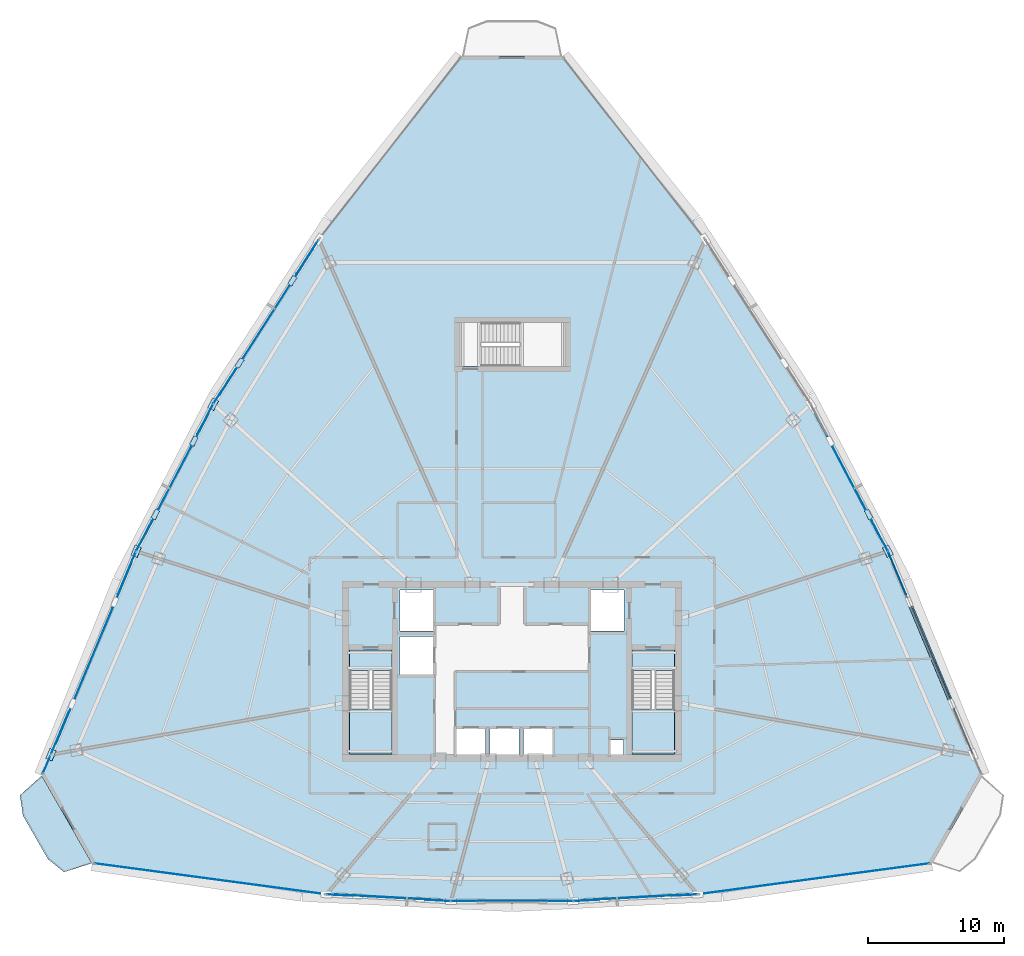
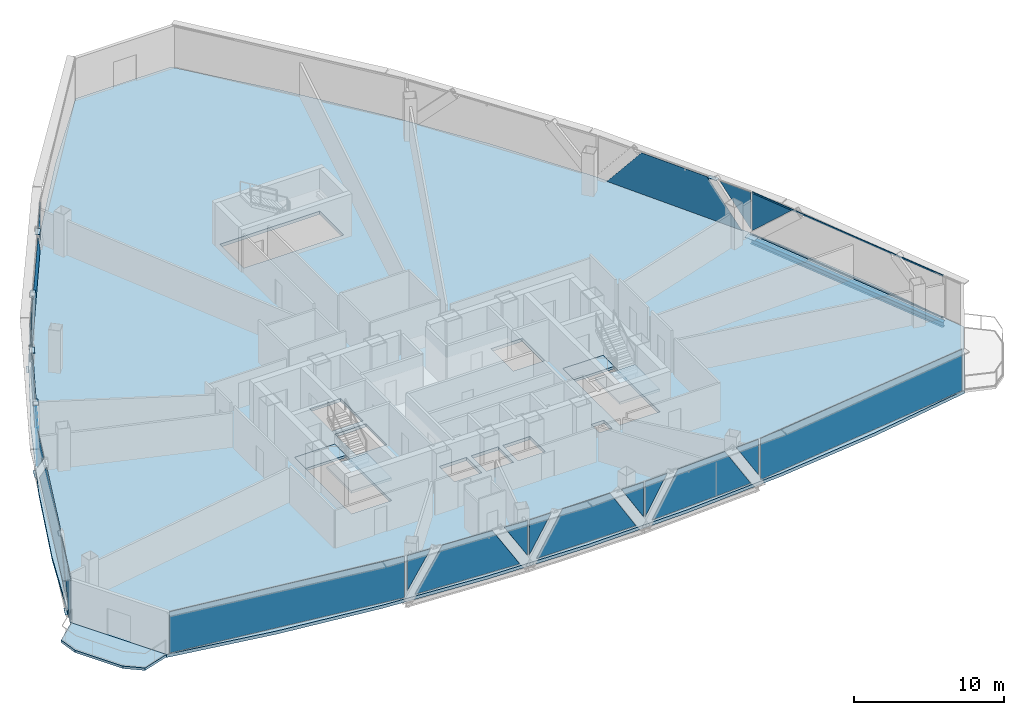
# One storey, part 28 of 37: 33 plates, 6 slabs, 2 members, 1 beam, 13 elements without a shape of their own.
"""IFC4 building model written with IfcOpenShell, lengths in metres."""

from ifc_helpers import new_model, si_unit, direction, frame, origin, origin_2d, place, context, subcontext, project, spatial, polyline, rectangle, hollow_rectangle, i_section, outline, extrude, source, transform, mapped, material, layer, layer_set, material_profile, profile_set, type_object, element, aggregate, save


model = new_model("IFC4")

# Units and contexts
model_context = context("Model", 3, precision=1e-05, world=origin(), true_north=direction((0.0, 1.0)))
body_context = subcontext(model_context, "Body", "Model", "MODEL_VIEW")
ifc_project = project(units=[si_unit("LENGTHUNIT", "METRE"), si_unit("AREAUNIT", "SQUARE_METRE"), si_unit("VOLUMEUNIT", "CUBIC_METRE"), si_unit("PLANEANGLEUNIT", "RADIAN"), si_unit("MASSUNIT", "GRAM", prefix="KILO"), si_unit("THERMODYNAMICTEMPERATUREUNIT", "KELVIN"), si_unit("POWERUNIT", "WATT")], contexts=[model_context])

# Site, building, storey
site_placement = place(None, origin())
site = spatial("IfcSite", under=ifc_project, at=site_placement, CompositionType="ELEMENT")
building_placement = place(site_placement, origin())
building = spatial("IfcBuilding", under=site, at=building_placement, Name="Yunzhuo Pagoda Commons", CompositionType="ELEMENT")
storey_placement = place(building_placement, frame((0.0, 0.0, 255.719970703125)))
storey = spatial("IfcBuildingStorey", under=building, at=storey_placement, Name="L64", CompositionType="ELEMENT", Elevation=255.719970703125)

# Beam
ifc_material_1 = material(Name="Structural steel Q355B", Category="steel")
ifc_material_profile_1 = material_profile(ifc_material_1, i_section(OverallWidth=0.300048828125, OverallDepth=0.43994140625, WebThickness=0.010986328125, FlangeThickness=0.01806640625, at=origin_2d()), Name="Structural steel Q355B")
ifc_profile_set_1 = profile_set([ifc_material_profile_1], Name="Structural steel Q355B")
beam_type = type_object("IfcBeamType", Name="B-SP2 Beam HM 440x300x11x18", PredefinedType="BEAM", material=ifc_profile_set_1)
shared_shape_1 = source(origin(), body_context, "Body", "SweptSolid", [
    extrude(i_section(OverallWidth=0.300048828125, OverallDepth=0.43994140625, WebThickness=0.010986328125, FlangeThickness=0.01806640625, at=origin_2d()), origin(), (0.0, 0.0, 1.0), 16.160888671875),
])
beam_placement = place(storey_placement, frame((81.7861328125, 27.74267578125, -0.47998046875), z_axis=(-0.386114471907, 0.922450873805, 0.0), x_axis=(-0.922450873805, -0.386114471907, 0.0)))
element("IfcBeam", 1, at=beam_placement, inside=storey, type_object=beam_type, Name="L64 facade edge spandrel beam F2.1", PredefinedType="BEAM", context=body_context, shape_type="MappedRepresentation", body=[
    mapped(shared_shape_1, transform((0.0, 0.0, 0.0), scale=1.0)),
])

# Curtain wall, members
ifc_material_2 = material(Name="Anodized aluminium 6063-T6", Category="aluminium")
ifc_layer_1 = layer(ifc_material_2, 0.139892578125)
ifc_layer_set_1 = layer_set([ifc_layer_1], Name="Anodized aluminium 6063-T6")
curtain_wall_type = type_object("IfcCurtainWallType", Name="CW-HI High-Zone Ribbon Curtain Wall", PredefinedType="NOTDEFINED", material=ifc_layer_set_1)
curtain_wall_1_placement = place(storey_placement, origin())
curtain_wall_1 = element("IfcCurtainWall", 2, at=curtain_wall_1_placement, inside=storey, type_object=curtain_wall_type, Name="L64 curtain wall CW-L64-F2B2", PredefinedType="NOTDEFINED")
ifc_material_profile_2 = material_profile(ifc_material_2, hollow_rectangle(XDim=0.054931640625, YDim=0.1201171875, WallThickness=0.00341796875, at=origin_2d()), Name="Anodized aluminium 6063-T6")
ifc_profile_set_2 = profile_set([ifc_material_profile_2], Name="Anodized aluminium 6063-T6")
member_type = type_object("IfcMemberType", Name="CW-HI-T Transom RHS 120x55x3.5", PredefinedType="USERDEFINED", material=ifc_profile_set_2)
shared_shape_2 = source(origin(), body_context, "Body", "SweptSolid", [
    extrude(hollow_rectangle(XDim=0.054931640625, YDim=0.1201171875, WallThickness=0.00341796875, at=origin_2d()), origin(), (0.0, 0.0, 1.0), 16.041259765625),
])
member_1_placement = place(storey_placement, frame((81.76318359375, 27.7978515625, 0.027587890625), z_axis=(-0.386122427173, 0.922447543893, 0.0), x_axis=(-0.922447543893, -0.386122427173, 0.0)))
member_1 = element("IfcMember", 3, at=member_1_placement, type_object=member_type, Name="CW transom 1.1", ObjectType="TRANSOM", PredefinedType="USERDEFINED", context=body_context, shape_type="MappedRepresentation", body=[
    mapped(shared_shape_2, transform((0.0, 0.0, 0.0), scale=1.0)),
])
member_2_placement = place(storey_placement, frame((81.76318359375, 27.7978515625, 3.442626953125), z_axis=(-0.386122427173, 0.922447543893, 0.0), x_axis=(-0.922447543893, -0.386122427173, 0.0)))
member_2 = element("IfcMember", 4, at=member_2_placement, type_object=member_type, Name="CW transom 1.2", ObjectType="TRANSOM", PredefinedType="USERDEFINED", context=body_context, shape_type="MappedRepresentation", body=[
    mapped(shared_shape_2, transform((0.0, 0.0, 0.0), scale=1.0)),
])

# Curtain wall, plates
curtain_wall_2_placement = place(storey_placement, origin())
curtain_wall_2 = element("IfcCurtainWall", 5, at=curtain_wall_2_placement, inside=storey, type_object=curtain_wall_type, Name="L64 curtain wall CW-L64-F1B2", PredefinedType="NOTDEFINED")
ifc_material_3 = material(Name="Tempered low-e double glazing", Category="glass")
ifc_layer_2 = layer(ifc_material_3, 0.02587890625)
ifc_layer_set_2 = layer_set([ifc_layer_2], Name="Tempered low-e double glazing")
plate_type_1 = type_object("IfcPlateType", Name="CW-HI-P Low-E Double Glazing 26", PredefinedType="CURTAIN_PANEL", material=ifc_layer_set_2)
plate_1_placement = place(storey_placement, frame((35.336181640625, 17.461181640625, 1.990478515625), z_axis=(-0.053988827702, -0.998541539688, 0.0), x_axis=(0.998541539688, -0.053988827702, 0.0)))
plate_1 = element("IfcPlate", 6, at=plate_1_placement, type_object=plate_type_1, Name="CW panel 1.1 lite 1", PredefinedType="CURTAIN_PANEL", context=body_context, shape_type="SweptSolid", body=[
    extrude(outline(polyline([(-0.872314453125, -1.424560546875), (0.872314453125, 1.424560546875), (-0.872314453125, 1.424560546875), (-0.872314453125, -1.424560546875)])), origin(), (0.0, 0.0, 1.0), 0.028076171875),
])
plate_2_placement = place(storey_placement, frame((38.9677734375, 17.294921875, 1.735107421875), z_axis=(-0.053988827702, -0.998541539688, 0.0), x_axis=(0.998541539688, -0.053988827702, 0.0)))
plate_2 = element("IfcPlate", 7, at=plate_2_placement, type_object=plate_type_1, Name="CW panel 1.1 lite 2", PredefinedType="CURTAIN_PANEL", context=body_context, shape_type="SweptSolid", body=[
    extrude(outline(polyline([(-3.92919921875, -1.679931640625), (3.92919921875, -1.679931640625), (1.871826171875, 1.679931640625), (-1.871826171875, 1.679931640625), (-3.92919921875, -1.679931640625)])), origin(), (0.0, 0.0, 1.0), 0.028076171875),
])
plate_3_placement = place(storey_placement, frame((42.59619140625, 17.068603515625, 1.990478515625), z_axis=(-0.053988827702, -0.998541539688, 0.0), x_axis=(0.998541539688, -0.053988827702, 0.0)))
plate_3 = element("IfcPlate", 8, at=plate_3_placement, type_object=plate_type_1, Name="CW panel 1.1 lite 3", PredefinedType="CURTAIN_PANEL", context=body_context, shape_type="SweptSolid", body=[
    extrude(outline(polyline([(-0.872314453125, 1.424560546875), (0.872314453125, -1.424560546875), (0.872314453125, 1.424560546875), (-0.872314453125, 1.424560546875)])), origin(), (0.0, 0.0, 1.0), 0.028076171875),
])
aggregate(curtain_wall_2, [plate_1, plate_2, plate_3])

curtain_wall_3_placement = place(storey_placement, origin())
curtain_wall_3 = element("IfcCurtainWall", 9, at=curtain_wall_3_placement, inside=storey, type_object=curtain_wall_type, Name="L64 curtain wall CW-L64-F1B3", PredefinedType="NOTDEFINED")
plate_4_placement = place(storey_placement, frame((44.436767578125, 17.0185546875, 1.996826171875), z_axis=(0.0, -1.0, 0.0), x_axis=(1.0, 0.0, 0.0)))
plate_4 = element("IfcPlate", 10, at=plate_4_placement, type_object=plate_type_1, Name="CW panel 1.1 lite 1", PredefinedType="CURTAIN_PANEL", context=body_context, shape_type="SweptSolid", body=[
    extrude(outline(polyline([(-0.850341796875, -1.41796875), (0.850341796875, 1.41796875), (-0.850341796875, 1.41796875), (-0.850341796875, -1.41796875)])), origin(), (0.0, 0.0, 1.0), 0.028076171875),
])
plate_5_placement = place(storey_placement, frame((48.0, 17.04833984375, 1.735107421875), z_axis=(0.0, -1.0, 0.0), x_axis=(1.0, 0.0, 0.0)))
plate_5 = element("IfcPlate", 11, at=plate_5_placement, type_object=plate_type_1, Name="CW panel 1.1 lite 2", PredefinedType="CURTAIN_PANEL", context=body_context, shape_type="SweptSolid", body=[
    extrude(outline(polyline([(-3.841552734375, -1.679931640625), (3.841552734375, -1.679931640625), (1.82666015625, 1.679931640625), (-1.82666015625, 1.679931640625), (-3.841552734375, -1.679931640625)])), origin(), (0.0, 0.0, 1.0), 0.028076171875),
])
plate_6_placement = place(storey_placement, frame((51.563232421875, 17.0185546875, 1.996826171875), z_axis=(0.0, -1.0, 0.0), x_axis=(1.0, 0.0, 0.0)))
plate_6 = element("IfcPlate", 12, at=plate_6_placement, type_object=plate_type_1, Name="CW panel 1.1 lite 3", PredefinedType="CURTAIN_PANEL", context=body_context, shape_type="SweptSolid", body=[
    extrude(outline(polyline([(-0.850341796875, 1.41796875), (0.850341796875, -1.41796875), (0.850341796875, 1.41796875), (-0.850341796875, 1.41796875)])), origin(), (0.0, 0.0, 1.0), 0.028076171875),
])
aggregate(curtain_wall_3, [plate_4, plate_5, plate_6])

curtain_wall_4_placement = place(storey_placement, origin())
curtain_wall_4 = element("IfcCurtainWall", 13, at=curtain_wall_4_placement, inside=storey, type_object=curtain_wall_type, Name="L64 curtain wall CW-L64-F1B4", PredefinedType="NOTDEFINED")
plate_7_placement = place(storey_placement, frame((53.40380859375, 17.068603515625, 1.990478515625), z_axis=(0.053988827702, -0.998541539688, 0.0), x_axis=(0.998541539688, 0.053988827702, 0.0)))
plate_7 = element("IfcPlate", 14, at=plate_7_placement, type_object=plate_type_1, Name="CW panel 1.1 lite 1", PredefinedType="CURTAIN_PANEL", context=body_context, shape_type="SweptSolid", body=[
    extrude(outline(polyline([(-0.872314453125, -1.424560546875), (0.872314453125, 1.424560546875), (-0.872314453125, 1.424560546875), (-0.872314453125, -1.424560546875)])), origin(), (0.0, 0.0, 1.0), 0.028076171875),
])
plate_8_placement = place(storey_placement, frame((57.0322265625, 17.294921875, 1.735107421875), z_axis=(0.053988827702, -0.998541539688, 0.0), x_axis=(0.998541539688, 0.053988827702, 0.0)))
plate_8 = element("IfcPlate", 15, at=plate_8_placement, type_object=plate_type_1, Name="CW panel 1.1 lite 2", PredefinedType="CURTAIN_PANEL", context=body_context, shape_type="SweptSolid", body=[
    extrude(outline(polyline([(-3.92919921875, -1.679931640625), (3.92919921875, -1.679931640625), (1.871826171875, 1.679931640625), (-1.871826171875, 1.679931640625), (-3.92919921875, -1.679931640625)])), origin(), (0.0, 0.0, 1.0), 0.028076171875),
])
plate_9_placement = place(storey_placement, frame((60.663818359375, 17.461181640625, 1.990478515625), z_axis=(0.053988827702, -0.998541539688, 0.0), x_axis=(0.998541539688, 0.053988827702, 0.0)))
plate_9 = element("IfcPlate", 16, at=plate_9_placement, type_object=plate_type_1, Name="CW panel 1.1 lite 3", PredefinedType="CURTAIN_PANEL", context=body_context, shape_type="SweptSolid", body=[
    extrude(outline(polyline([(-0.872314453125, 1.424560546875), (0.872314453125, -1.424560546875), (0.872314453125, 1.424560546875), (-0.872314453125, 1.424560546875)])), origin(), (0.0, 0.0, 1.0), 0.028076171875),
])
aggregate(curtain_wall_4, [plate_7, plate_8, plate_9])

# Plate
plate_10_placement = place(storey_placement, frame((76.205078125, 41.03955078125, 1.86376953125), z_axis=(0.922450521644, 0.38611531324, 0.0), x_axis=(-0.38611531324, 0.922450521644, 0.0)))
plate_10 = element("IfcPlate", 17, at=plate_10_placement, type_object=plate_type_1, Name="CW panel 1.1 lite 3", PredefinedType="CURTAIN_PANEL", context=body_context, shape_type="SweptSolid", body=[
    extrude(outline(polyline([(-1.680419921875, 1.55126953125), (1.680419921875, -1.55126953125), (1.680419921875, 1.55126953125), (-1.680419921875, 1.55126953125)])), origin(), (0.0, 0.0, 1.0), 0.028076171875),
])

aggregate(curtain_wall_1, [member_1, member_2, plate_10])

# Curtain wall, plates
curtain_wall_5_placement = place(storey_placement, origin())
curtain_wall_5 = element("IfcCurtainWall", 18, at=curtain_wall_5_placement, inside=storey, type_object=curtain_wall_type, Name="L64 curtain wall CW-L64-F2B3", PredefinedType="NOTDEFINED")
plate_11_placement = place(storey_placement, frame((74.938232421875, 43.779541015625, 1.9150390625), z_axis=(0.885743148427, 0.464175694123, 0.0), x_axis=(-0.464175694123, 0.885743148427, 0.0)))
plate_11 = element("IfcPlate", 19, at=plate_11_placement, type_object=plate_type_1, Name="CW panel 1.1 lite 1", PredefinedType="CURTAIN_PANEL", context=body_context, shape_type="SweptSolid", body=[
    extrude(outline(polyline([(-1.222412109375, -1.5), (1.222412109375, 1.5), (-1.222412109375, 1.5), (-1.222412109375, -1.5)])), origin(), (0.0, 0.0, 1.0), 0.028076171875),
])
plate_12_placement = place(storey_placement, frame((72.68505859375, 48.014892578125, 1.735107421875), z_axis=(0.885743148427, 0.464175694123, 0.0), x_axis=(-0.464175694123, 0.885743148427, 0.0)))
plate_12 = element("IfcPlate", 20, at=plate_12_placement, type_object=plate_type_1, Name="CW panel 1.1 lite 2", PredefinedType="CURTAIN_PANEL", context=body_context, shape_type="SweptSolid", body=[
    extrude(outline(polyline([(-5.3330078125, -1.679931640625), (5.3330078125, -1.679931640625), (2.594482421875, 1.679931640625), (-2.594482421875, 1.679931640625), (-5.3330078125, -1.679931640625)])), origin(), (0.0, 0.0, 1.0), 0.028076171875),
])
aggregate(curtain_wall_5, [plate_11, plate_12])

curtain_wall_6_placement = place(storey_placement, origin())
curtain_wall_6 = element("IfcCurtainWall", 21, at=curtain_wall_6_placement, inside=storey, type_object=curtain_wall_type, Name="L64 curtain wall CW-L64-F3B2", PredefinedType="NOTDEFINED")
plate_13_placement = place(storey_placement, frame((33.027099609375, 64.198486328125, 1.8828125), z_axis=(-0.841750083847, 0.539867387738, 0.0), x_axis=(-0.539867387738, -0.841750083847, 0.0)))
plate_13 = element("IfcPlate", 22, at=plate_13_placement, type_object=plate_type_1, Name="CW panel 1.1 lite 1", PredefinedType="CURTAIN_PANEL", context=body_context, shape_type="SweptSolid", body=[
    extrude(outline(polyline([(-1.473388671875, -1.5322265625), (1.473388671875, 1.5322265625), (-1.473388671875, 1.5322265625), (-1.473388671875, -1.5322265625)])), origin(), (0.0, 0.0, 1.0), 0.028076171875),
])
plate_14_placement = place(storey_placement, frame((30.007568359375, 59.434814453125, 1.735107421875), z_axis=(-0.841750083847, 0.539867387738, 0.0), x_axis=(-0.539867387738, -0.841750083847, 0.0)))
plate_14 = element("IfcPlate", 23, at=plate_14_placement, type_object=plate_type_1, Name="CW panel 1.1 lite 2", PredefinedType="CURTAIN_PANEL", context=body_context, shape_type="SweptSolid", body=[
    extrude(outline(polyline([(-6.343017578125, -1.679931640625), (6.343017578125, -1.679931640625), (3.1123046875, 1.679931640625), (-3.1123046875, 1.679931640625), (-6.343017578125, -1.679931640625)])), origin(), (0.0, 0.0, 1.0), 0.028076171875),
])
plate_15_placement = place(storey_placement, frame((26.9375, 54.70361328125, 1.8828125), z_axis=(-0.841750083847, 0.539867387738, 0.0), x_axis=(-0.539867387738, -0.841750083847, 0.0)))
plate_15 = element("IfcPlate", 24, at=plate_15_placement, type_object=plate_type_1, Name="CW panel 1.1 lite 3", PredefinedType="CURTAIN_PANEL", context=body_context, shape_type="SweptSolid", body=[
    extrude(outline(polyline([(-1.473388671875, 1.5322265625), (1.473388671875, -1.5322265625), (1.473388671875, 1.5322265625), (-1.473388671875, 1.5322265625)])), origin(), (0.0, 0.0, 1.0), 0.028076171875),
])
aggregate(curtain_wall_6, [plate_13, plate_14, plate_15])

curtain_wall_7_placement = place(storey_placement, origin())
curtain_wall_7 = element("IfcCurtainWall", 25, at=curtain_wall_7_placement, inside=storey, type_object=curtain_wall_type, Name="L64 curtain wall CW-L64-F3B3", PredefinedType="NOTDEFINED")
plate_16_placement = place(storey_placement, frame((25.51513671875, 52.278076171875, 1.9150390625), z_axis=(-0.885743148427, 0.464175694123, 0.0), x_axis=(-0.464175694123, -0.885743148427, 0.0)))
plate_16 = element("IfcPlate", 26, at=plate_16_placement, type_object=plate_type_1, Name="CW panel 1.1 lite 1", PredefinedType="CURTAIN_PANEL", context=body_context, shape_type="SweptSolid", body=[
    extrude(outline(polyline([(-1.222412109375, -1.5), (1.222412109375, 1.5), (-1.222412109375, 1.5), (-1.222412109375, -1.5)])), origin(), (0.0, 0.0, 1.0), 0.028076171875),
])
plate_17_placement = place(storey_placement, frame((23.31494140625, 48.014892578125, 1.735107421875), z_axis=(-0.885743148427, 0.464175694123, 0.0), x_axis=(-0.464175694123, -0.885743148427, 0.0)))
plate_17 = element("IfcPlate", 27, at=plate_17_placement, type_object=plate_type_1, Name="CW panel 1.1 lite 2", PredefinedType="CURTAIN_PANEL", context=body_context, shape_type="SweptSolid", body=[
    extrude(outline(polyline([(-5.3330078125, -1.679931640625), (5.3330078125, -1.679931640625), (2.594482421875, 1.679931640625), (-2.594482421875, 1.679931640625), (-5.3330078125, -1.679931640625)])), origin(), (0.0, 0.0, 1.0), 0.028076171875),
])
plate_18_placement = place(storey_placement, frame((21.061767578125, 43.779541015625, 1.9150390625), z_axis=(-0.885743148427, 0.464175694123, 0.0), x_axis=(-0.464175694123, -0.885743148427, 0.0)))
plate_18 = element("IfcPlate", 28, at=plate_18_placement, type_object=plate_type_1, Name="CW panel 1.1 lite 3", PredefinedType="CURTAIN_PANEL", context=body_context, shape_type="SweptSolid", body=[
    extrude(outline(polyline([(-1.222412109375, 1.5), (1.222412109375, -1.5), (1.222412109375, 1.5), (-1.222412109375, 1.5)])), origin(), (0.0, 0.0, 1.0), 0.028076171875),
])
aggregate(curtain_wall_7, [plate_16, plate_17, plate_18])

curtain_wall_8_placement = place(storey_placement, origin())
curtain_wall_8 = element("IfcCurtainWall", 29, at=curtain_wall_8_placement, inside=storey, type_object=curtain_wall_type, Name="L64 curtain wall CW-L64-F3B4", PredefinedType="NOTDEFINED")
plate_19_placement = place(storey_placement, frame((19.794921875, 41.03955078125, 1.86376953125), z_axis=(-0.922450521644, 0.38611531324, 0.0), x_axis=(-0.38611531324, -0.922450521644, 0.0)))
plate_19 = element("IfcPlate", 30, at=plate_19_placement, type_object=plate_type_1, Name="CW panel 1.1 lite 1", PredefinedType="CURTAIN_PANEL", context=body_context, shape_type="SweptSolid", body=[
    extrude(outline(polyline([(-1.680419921875, -1.55126953125), (1.680419921875, 1.55126953125), (-1.680419921875, 1.55126953125), (-1.680419921875, -1.55126953125)])), origin(), (0.0, 0.0, 1.0), 0.028076171875),
])
plate_20_placement = place(storey_placement, frame((17.37451171875, 35.179443359375, 1.735107421875), z_axis=(-0.922450521644, 0.38611531324, 0.0), x_axis=(-0.38611531324, -0.922450521644, 0.0)))
plate_20 = element("IfcPlate", 31, at=plate_20_placement, type_object=plate_type_1, Name="CW panel 1.1 lite 2", PredefinedType="CURTAIN_PANEL", context=body_context, shape_type="SweptSolid", body=[
    extrude(outline(polyline([(-7.17919921875, -1.679931640625), (7.17919921875, -1.679931640625), (3.53955078125, 1.679931640625), (-3.53955078125, 1.679931640625), (-7.17919921875, -1.679931640625)])), origin(), (0.0, 0.0, 1.0), 0.028076171875),
])
plate_21_placement = place(storey_placement, frame((14.898681640625, 29.342529296875, 1.86376953125), z_axis=(-0.922450521644, 0.38611531324, 0.0), x_axis=(-0.38611531324, -0.922450521644, 0.0)))
plate_21 = element("IfcPlate", 32, at=plate_21_placement, type_object=plate_type_1, Name="CW panel 1.1 lite 3", PredefinedType="CURTAIN_PANEL", context=body_context, shape_type="SweptSolid", body=[
    extrude(outline(polyline([(-1.680419921875, 1.55126953125), (1.680419921875, -1.55126953125), (1.680419921875, 1.55126953125), (-1.680419921875, 1.55126953125)])), origin(), (0.0, 0.0, 1.0), 0.028076171875),
])
aggregate(curtain_wall_8, [plate_19, plate_20, plate_21])

# Slab
ifc_material_4 = material(Name="Concrete C40", Category="concrete")
ifc_layer_3 = layer(ifc_material_4, 0.199951171875)
ifc_layer_set_3 = layer_set([ifc_layer_3], Name="Concrete C40")
slab_type_1 = type_object("IfcSlabType", Name="SL-BAL Vertex Balcony Deck Slab 200", PredefinedType="FLOOR", material=ifc_layer_set_3)
slab_1_placement = place(storey_placement, frame((0.0, 0.0, -0.199951171875)))
element("IfcSlab", 33, at=slab_1_placement, inside=storey, type_object=slab_type_1, Name="L64 corner balcony V1", PredefinedType="FLOOR", context=body_context, shape_type="SweptSolid", body=[
    extrude(outline(polyline([(13.538818359375, 26.194580078125), (17.215087890625, 19.79150390625), (15.17431640625, 19.138427734375), (14.002197265625, 20.0751953125), (12.1640625, 23.276611328125), (11.946044921875, 24.760986328125), (13.538818359375, 26.194580078125)])), origin(), (0.0, 0.0, 1.0), 0.199951171875),
])

# Stair, slabs
stair_type_1 = type_object("IfcStairType", Name="ST-C1 Core Smokeproof Stair ST1", PredefinedType="HALF_TURN_STAIR", material=ifc_material_4)
stair_1_placement = place(storey_placement, origin())
stair_1 = element("IfcStair", 34, at=stair_1_placement, inside=storey, type_object=stair_type_1, Name="L64 Core smokeproof stair ST1", PredefinedType="HALF_TURN_STAIR")
ifc_layer_4 = layer(ifc_material_4, 0.199951171875)
ifc_layer_set_4 = layer_set([ifc_layer_4], Name="Concrete C40")
slab_type_2 = type_object("IfcSlabType", Name="SL-LND1 Stair Landing Slab 200", PredefinedType="LANDING", material=ifc_layer_set_4)
slab_2_placement = place(storey_placement, frame((0.0, 0.0, 1.6650390625)))
slab_2 = element("IfcSlab", 35, at=slab_2_placement, type_object=slab_type_2, Name="ST1 landing 1", PredefinedType="LANDING", context=body_context, shape_type="SweptSolid", body=[
    extrude(outline(polyline([(36.10009765625, 31.10009765625), (36.10009765625, 27.800048828125), (39.199951171875, 27.800048828125), (39.199951171875, 31.10009765625), (36.10009765625, 31.10009765625)])), origin(), (0.0, 0.0, 1.0), 0.199951171875),
])
slab_3_placement = place(storey_placement, frame((0.0, 0.0, -0.199951171875)))
slab_3 = element("IfcSlab", 36, at=slab_3_placement, type_object=slab_type_2, Name="ST1 floor landing L64", PredefinedType="LANDING", context=body_context, shape_type="SweptSolid", body=[
    extrude(outline(polyline([(36.10009765625, 35.39990234375), (36.10009765625, 33.89990234375), (39.199951171875, 33.89990234375), (39.199951171875, 35.39990234375), (36.10009765625, 35.39990234375)])), origin(), (0.0, 0.0, 1.0), 0.199951171875),
])
aggregate(stair_1, [slab_2, slab_3])

stair_type_2 = type_object("IfcStairType", Name="ST-C2 Core Smokeproof Stair ST2", PredefinedType="HALF_TURN_STAIR", material=ifc_material_4)
stair_2_placement = place(storey_placement, origin())
stair_2 = element("IfcStair", 37, at=stair_2_placement, inside=storey, type_object=stair_type_2, Name="L64 Core smokeproof stair ST2", PredefinedType="HALF_TURN_STAIR")
ifc_layer_5 = layer(ifc_material_4, 0.201904296875)
ifc_layer_set_5 = layer_set([ifc_layer_5], Name="Concrete C40")
slab_type_3 = type_object("IfcSlabType", Name="SL-LND2 Stair Landing Slab 202", PredefinedType="LANDING", material=ifc_layer_set_5)
slab_4_placement = place(storey_placement, frame((0.0, 0.0, 1.6650390625)))
slab_4 = element("IfcSlab", 38, at=slab_4_placement, type_object=slab_type_3, Name="ST2 landing 1", PredefinedType="LANDING", context=body_context, shape_type="SweptSolid", body=[
    extrude(outline(polyline([(56.800048828125, 31.10009765625), (56.800048828125, 27.800048828125), (59.89990234375, 27.800048828125), (59.89990234375, 31.10009765625), (56.800048828125, 31.10009765625)])), origin(), (0.0, 0.0, 1.0), 0.199951171875),
])
slab_5_placement = place(storey_placement, frame((0.0, 0.0, -0.199951171875)))
slab_5 = element("IfcSlab", 39, at=slab_5_placement, type_object=slab_type_3, Name="ST2 floor landing L64", PredefinedType="LANDING", context=body_context, shape_type="SweptSolid", body=[
    extrude(outline(polyline([(56.800048828125, 35.39990234375), (56.800048828125, 33.89990234375), (59.89990234375, 33.89990234375), (59.89990234375, 35.39990234375), (56.800048828125, 35.39990234375)])), origin(), (0.0, 0.0, 1.0), 0.199951171875),
])
aggregate(stair_2, [slab_4, slab_5])

# Slab
ifc_layer_6 = layer(ifc_material_4, 0.260009765625)
ifc_layer_set_6 = layer_set([ifc_layer_6], Name="Concrete C40")
slab_type_4 = type_object("IfcSlabType", Name="SL-TWR Typical Tower Floor Slab 260", PredefinedType="FLOOR", material=ifc_layer_set_6)
slab_6_placement = place(storey_placement, frame((0.0, 0.0, -0.260009765625)))
element("IfcSlab", 40, at=slab_6_placement, inside=storey, type_object=slab_type_4, Name="L64 structural floor slab", PredefinedType="FLOOR", context=body_context, shape_type="SweptSolid", body=[
    extrude(outline(polyline([(16.2587890625, 33.448974609375), (19.2978515625, 40.51220703125), (22.660400390625, 47.38671875), (26.34619140625, 54.072265625), (30.35546875, 60.569091796875), (34.68798828125, 66.877197265625), (39.34423828125, 72.99658203125), (44.323486328125, 78.92724609375), (51.676513671875, 78.92724609375), (56.65576171875, 72.99658203125), (61.31201171875, 66.877197265625), (65.64453125, 60.569091796875), (69.65380859375, 54.072265625), (73.339599609375, 47.38671875), (76.7021484375, 40.51220703125), (79.7412109375, 33.448974609375), (82.456787109375, 26.197021484375), (78.780517578125, 19.7939453125), (71.08544921875, 18.4833984375), (63.390380859375, 17.547119140625), (55.695068359375, 16.985595703125), (48.0, 16.798095703125), (40.304931640625, 16.985595703125), (32.60986328125, 17.547119140625), (24.91455078125, 18.4833984375), (17.219482421875, 19.7939453125), (13.543212890625, 26.197021484375), (16.2587890625, 33.448974609375)]), holes=[polyline([(56.179931640625, 28.800048828125), (55.179931640625, 28.800048828125), (55.179931640625, 27.699951171875), (56.179931640625, 27.699951171875), (56.179931640625, 28.800048828125)]), polyline([(46.050048828125, 29.64990234375), (43.949951171875, 29.64990234375), (43.949951171875, 27.60009765625), (46.050048828125, 27.60009765625), (46.050048828125, 29.64990234375)]), polyline([(48.5, 29.64990234375), (46.39990234375, 29.64990234375), (46.39990234375, 27.60009765625), (48.5, 27.60009765625), (48.5, 29.64990234375)]), polyline([(50.949951171875, 27.60009765625), (50.949951171875, 29.64990234375), (48.85009765625, 29.64990234375), (48.85009765625, 27.60009765625), (50.949951171875, 27.60009765625)]), polyline([(36.10009765625, 27.800048828125), (39.199951171875, 27.800048828125), (39.199951171875, 35.39990234375), (36.10009765625, 35.39990234375), (36.10009765625, 27.800048828125)]), polyline([(59.89990234375, 27.800048828125), (59.89990234375, 35.39990234375), (56.800048828125, 35.39990234375), (56.800048828125, 27.800048828125), (59.89990234375, 27.800048828125)]), polyline([(42.199951171875, 36.39990234375), (39.800048828125, 36.39990234375), (39.800048828125, 33.60009765625), (42.199951171875, 33.60009765625), (42.199951171875, 36.39990234375)]), polyline([(42.199951171875, 39.800048828125), (39.800048828125, 39.800048828125), (39.800048828125, 36.800048828125), (42.199951171875, 36.800048828125), (42.199951171875, 39.800048828125)]), polyline([(56.199951171875, 36.800048828125), (56.199951171875, 39.800048828125), (53.800048828125, 39.800048828125), (53.800048828125, 36.800048828125), (56.199951171875, 36.800048828125)]), polyline([(51.89990234375, 56.199951171875), (51.89990234375, 59.39990234375), (44.199951171875, 59.39990234375), (44.199951171875, 56.199951171875), (51.89990234375, 56.199951171875)])]), origin(), (0.0, 0.0, 1.0), 0.260009765625),
])

# Plates
ifc_layer_7 = layer(ifc_material_1, 0.028076171875)
ifc_layer_set_7 = layer_set([ifc_layer_7], Name="Structural steel Q355B")
plate_type_2 = type_object("IfcPlateType", Name="SP-ND1 Lattice Node Cap Plate 800x500x28", PredefinedType="USERDEFINED", material=ifc_layer_set_7)
shared_shape_3 = source(origin(), body_context, "Body", "SweptSolid", [
    extrude(rectangle(XDim=0.800048828125, YDim=0.5, at=origin_2d()), origin(), (0.0, 0.0, 1.0), 0.028076171875),
])
for number, where, z_axis, x_axis, name in (
    (41, (75.546142578125, 42.650390625, -0.27392578125), (0.0, 0.0, 1.0), (-0.464177434419, 0.885742236419, 0.0), "L64 diamond node plate F2.2A"),
    (42, (26.09814453125, 53.420654296875, -0.27392578125), (0.0, 0.0, 1.0), (-0.464177434419, -0.885742236419, 0.0), "L64 diamond node plate F3.2A"),
    (43, (20.453857421875, 42.650390625, -0.27392578125), (0.0, 0.0, 1.0), (-0.386115349642, -0.922450506407, 0.0), "L64 diamond node plate F3.3A"),
    (44, (14.2138671875, 27.74267578125, -0.27392578125), (0.0, 0.0, 1.0), (-0.386115349642, -0.922450506407, 0.0), "L64 diamond node plate F3.3B"),
):
    element("IfcPlate", number, at=place(storey_placement, frame(where, z_axis=z_axis, x_axis=x_axis)), inside=storey, type_object=plate_type_2, Name=name, ObjectType="STIFFENER_PLATE", PredefinedType="USERDEFINED", context=body_context, shape_type="MappedRepresentation", body=[
        mapped(shared_shape_3, transform((0.0, 0.0, 0.0), scale=1.0)),
    ])
shared_shape_4 = source(origin(), body_context, "Body", "SweptSolid", [
    extrude(rectangle(XDim=0.699951171875, YDim=0.35009765625, at=origin_2d()), origin(), (0.0, 0.0, 1.0), 0.035888671875),
])
for number, where, z_axis, x_axis, name in (
    (45, (74.135009765625, 45.343017578125, 3.43212890625), (0.0, 0.0, 1.0), (-0.464177434419, 0.885742236419, 0.0), "L64 setback lattice tie plate F2.2L"),
    (46, (31.906982421875, 62.4775390625, 3.43212890625), (0.0, 0.0, 1.0), (-0.539873090716, -0.841746426141, 0.0), "L64 setback lattice tie plate F3.1L"),
    (47, (28.034423828125, 56.439697265625, 3.43212890625), (0.0, 0.0, 1.0), (-0.539873090716, -0.841746426141, 0.0), "L64 setback lattice tie plate F3.1R"),
    (48, (24.68701171875, 50.72802734375, 3.43212890625), (0.0, 0.0, 1.0), (-0.464177434419, -0.885742236419, 0.0), "L64 setback lattice tie plate F3.2L"),
    (49, (21.864990234375, 45.343017578125, 3.43212890625), (0.0, 0.0, 1.0), (-0.464177434419, -0.885742236419, 0.0), "L64 setback lattice tie plate F3.2R"),
):
    element("IfcPlate", number, at=place(storey_placement, frame(where, z_axis=z_axis, x_axis=x_axis)), inside=storey, type_object=plate_type_2, Name=name, ObjectType="STIFFENER_PLATE", PredefinedType="USERDEFINED", context=body_context, shape_type="MappedRepresentation", body=[
        mapped(shared_shape_4, transform((0.0, 0.0, 0.0), scale=1.0)),
    ])

# Curtain wall, plate
curtain_wall_9_placement = place(storey_placement, origin())
curtain_wall_9 = element("IfcCurtainWall", 50, at=curtain_wall_9_placement, inside=storey, type_object=curtain_wall_type, Name="L64 curtain wall CW-L64-F1B1", PredefinedType="NOTDEFINED")
shared_shape_5 = source(origin(), body_context, "Body", "SweptSolid", [
    extrude(rectangle(XDim=16.98193359375, YDim=0.028076171875, at=origin_2d()), origin(), (0.0, 0.0, 1.0), 3.360107421875),
])
plate_22_placement = place(storey_placement, frame((25.854736328125, 18.641845703125, 0.05517578125), z_axis=(0.0, 0.0, 1.0), x_axis=(0.991161079314, -0.132663916926, 0.0)))
plate_22 = element("IfcPlate", 51, at=plate_22_placement, type_object=plate_type_1, Name="CW panel 1.1", PredefinedType="CURTAIN_PANEL", context=body_context, shape_type="MappedRepresentation", body=[
    mapped(shared_shape_5, transform((0.0, 0.0, 0.0), scale=1.0)),
])
aggregate(curtain_wall_9, [plate_22])

curtain_wall_10_placement = place(storey_placement, origin())
curtain_wall_10 = element("IfcCurtainWall", 52, at=curtain_wall_10_placement, inside=storey, type_object=curtain_wall_type, Name="L64 curtain wall CW-L64-F1B5", PredefinedType="NOTDEFINED")
plate_23_placement = place(storey_placement, frame((70.145263671875, 18.641845703125, 0.05517578125), z_axis=(0.0, 0.0, 1.0), x_axis=(0.991161079314, 0.132663916926, 0.0)))
plate_23 = element("IfcPlate", 53, at=plate_23_placement, type_object=plate_type_1, Name="CW panel 1.1", PredefinedType="CURTAIN_PANEL", context=body_context, shape_type="MappedRepresentation", body=[
    mapped(shared_shape_5, transform((0.0, 0.0, 0.0), scale=1.0)),
])
aggregate(curtain_wall_10, [plate_23])

curtain_wall_11_placement = place(storey_placement, origin())
curtain_wall_11 = element("IfcCurtainWall", 54, at=curtain_wall_11_placement, inside=storey, type_object=curtain_wall_type, Name="L64 curtain wall CW-L64-F3B5", PredefinedType="NOTDEFINED")
shared_shape_6 = source(origin(), body_context, "Body", "SweptSolid", [
    extrude(rectangle(XDim=1.328857421875, YDim=0.028076171875, at=origin_2d()), origin(), (0.0, 0.0, 1.0), 3.360107421875),
])
plate_24_placement = place(storey_placement, frame((13.896240234375, 27.009033203125, 0.05517578125), z_axis=(0.0, 0.0, 1.0), x_axis=(-0.397256840254, -0.917707471295, 0.0)))
plate_24 = element("IfcPlate", 55, at=plate_24_placement, type_object=plate_type_1, Name="CW panel 1.1", PredefinedType="CURTAIN_PANEL", context=body_context, shape_type="MappedRepresentation", body=[
    mapped(shared_shape_6, transform((0.0, 0.0, 0.0), scale=1.0)),
])
aggregate(curtain_wall_11, [plate_24])

save(model, "model.ifc")
